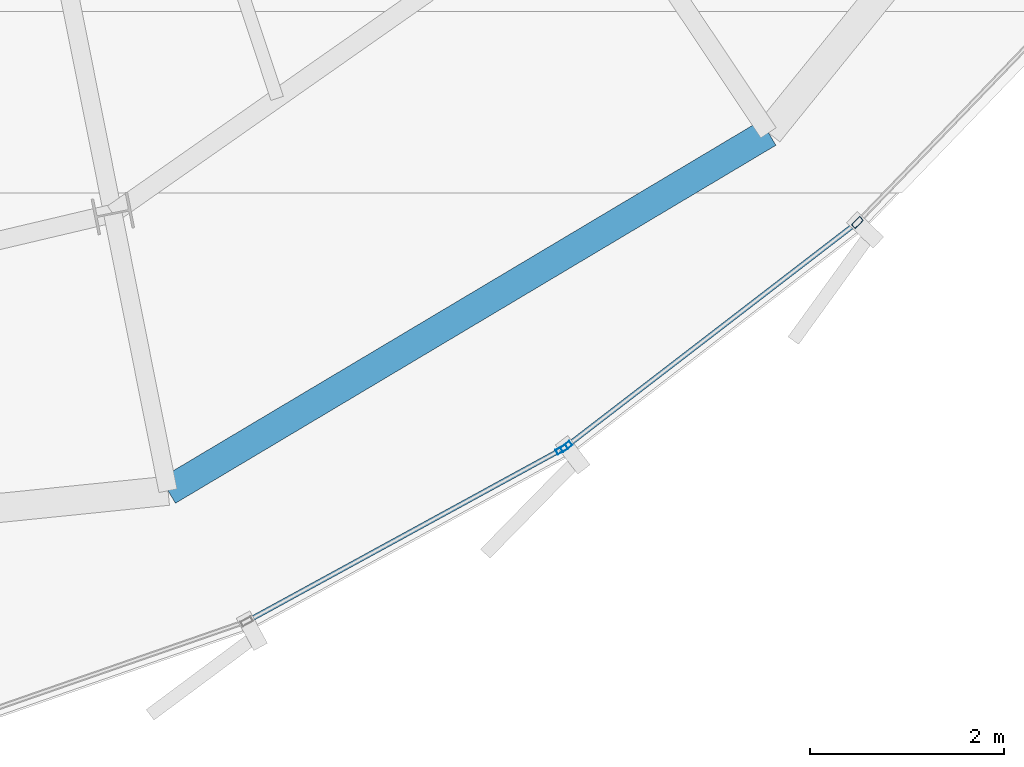
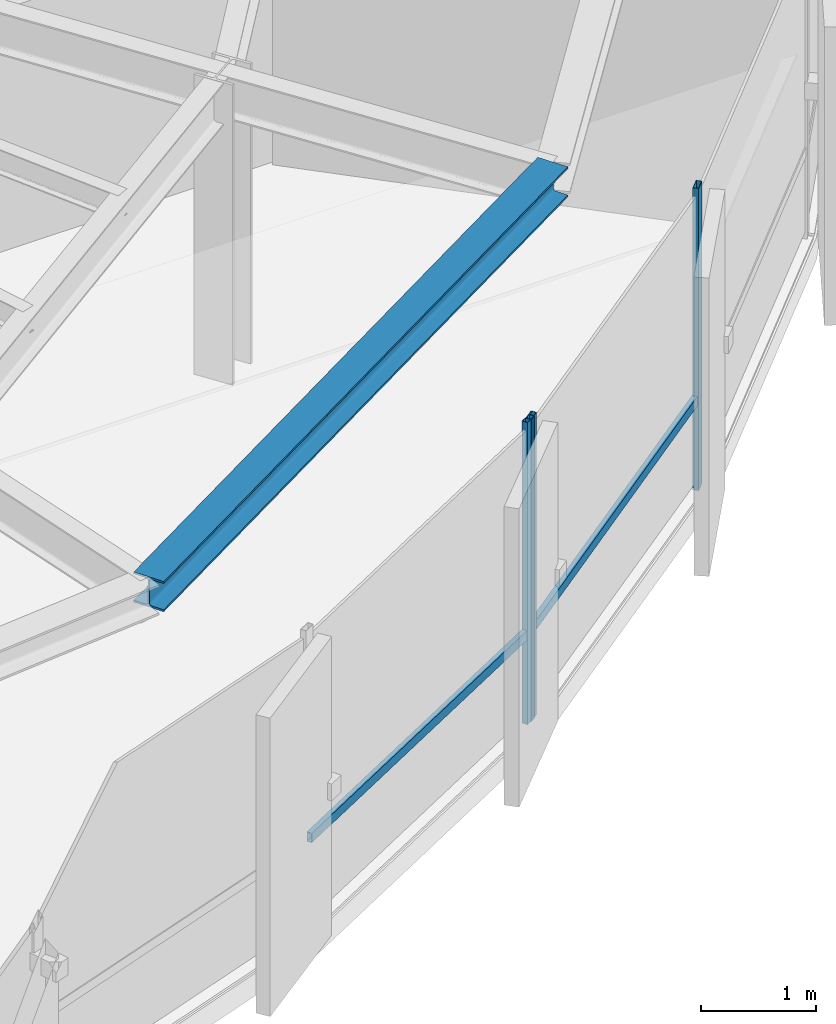
# One storey, part 7 of 31: 5 members, 1 beam, 2 elements without a shape of their own.
"""IFC4 building model written with IfcOpenShell, lengths in metres."""

from ifc_helpers import new_model, si_unit, direction, frame, origin, origin_2d, place, context, subcontext, project, spatial, hollow_rectangle, i_section, extrude, source, transform, mapped, material, layer, layer_set, material_profile, profile_set, type_object, element, aggregate, save


model = new_model("IFC4")

# Units and contexts
model_context = context("Model", 3, precision=1e-05, world=origin(), true_north=direction((0.0, 1.0)))
body_context = subcontext(model_context, "Body", "Model", "MODEL_VIEW")
ifc_project = project(units=[si_unit("LENGTHUNIT", "METRE"), si_unit("AREAUNIT", "SQUARE_METRE"), si_unit("VOLUMEUNIT", "CUBIC_METRE"), si_unit("PLANEANGLEUNIT", "RADIAN"), si_unit("MASSUNIT", "GRAM", prefix="KILO"), si_unit("THERMODYNAMICTEMPERATUREUNIT", "KELVIN")], contexts=[model_context])

# Site, building, storey
site_placement = place(None, origin())
site = spatial("IfcSite", under=ifc_project, at=site_placement, CompositionType="ELEMENT")
building_placement = place(site_placement, origin())
building = spatial("IfcBuilding", under=site, at=building_placement, Name="Kethvar Cultural Tower", CompositionType="ELEMENT")
storey_placement = place(building_placement, frame((0.0, 0.0, 269.800048828125)))
storey = spatial("IfcBuildingStorey", under=building, at=storey_placement, Name="L71", CompositionType="ELEMENT", Elevation=269.800048828125)

# Beam
ifc_material_1 = material(Name="Steel S355J2", Category="steel")
ifc_material_profile_1 = material_profile(ifc_material_1, i_section(OverallWidth=0.300048828125, OverallDepth=0.320068359375, WebThickness=0.011474609375, FlangeThickness=0.0205078125, FilletRadius=0.027099609375, at=origin_2d()), Name="Steel S355J2 — HEB320")
ifc_profile_set_1 = profile_set([ifc_material_profile_1], Name="Steel S355J2 — HEB320")
beam_type = type_object("IfcBeamType", Name="BM-SP320", PredefinedType="SPANDREL", material=ifc_profile_set_1)
shared_shape_1 = source(origin(), body_context, "Body", "SweptSolid", [
    extrude(i_section(OverallWidth=0.300048828125, OverallDepth=0.320068359375, WebThickness=0.011474609375, FlangeThickness=0.0205078125, FilletRadius=0.027099609375, at=origin_2d()), origin(), (0.0, 0.0, 1.0), 7.208984375),
])
beam_placement = place(storey_placement, frame((50.470458984375, 9.34765625, 3.0478515625), z_axis=(0.858935802481, 0.512083281525, 0.0), x_axis=(-0.512083281525, 0.858935802481, 0.0)))
element("IfcBeam", 1, at=beam_placement, inside=storey, type_object=beam_type, Name="L71 Perimeter Spandrel Beam SP-13", PredefinedType="SPANDREL", context=body_context, shape_type="MappedRepresentation", body=[
    mapped(shared_shape_1, transform((0.0, 0.0, 0.0), scale=1.0)),
])

# Curtain wall, member
ifc_material_2 = material(Name="Aluminium 6063-T6", Category="aluminium")
ifc_layer = layer(ifc_material_2, 0.179931640625, Name="Aluminium 6063-T6", Category="aluminium")
ifc_layer_set = layer_set([ifc_layer], Name="Aluminium 6063-T6 (180 mm)")
curtain_wall_type = type_object("IfcCurtainWallType", Name="CW-SYS-05-Z56", PredefinedType="NOTDEFINED", material=ifc_layer_set)
curtain_wall_1_placement = place(storey_placement, origin())
curtain_wall_1 = element("IfcCurtainWall", 2, at=curtain_wall_1_placement, inside=storey, type_object=curtain_wall_type, Name="L71 Curtain Wall Run 04", PredefinedType="NOTDEFINED")
ifc_material_profile_2 = material_profile(ifc_material_2, hollow_rectangle(XDim=0.054931640625, YDim=0.1201171875, WallThickness=0.00390625, at=origin_2d()), Name="Aluminium 6063-T6 — RHS120x55x4")
ifc_profile_set_2 = profile_set([ifc_material_profile_2], Name="Aluminium 6063-T6 — RHS120x55x4")
member_type_1 = type_object("IfcMemberType", Name="CW-SYS-05-Z56-MUL", PredefinedType="MULLION", material=ifc_profile_set_2)
shared_shape_2 = source(origin(), body_context, "Body", "SweptSolid", [
    extrude(hollow_rectangle(XDim=0.054931640625, YDim=0.1201171875, WallThickness=0.00390625, at=origin_2d()), origin(), (0.0, 0.0, 1.0), 3.2099609375),
])
member_1_placement = place(storey_placement, frame((54.530517578125, 9.7744140625, 0.0), z_axis=(0.0, 0.0, 1.0), x_axis=(-0.479350641899, 0.877623473997, 0.0)))
member_1 = element("IfcMember", 3, at=member_1_placement, type_object=member_type_1, Name="CW-L71-R04 Mullion 7", PredefinedType="MULLION", context=body_context, shape_type="MappedRepresentation", body=[
    mapped(shared_shape_2, transform((0.0, 0.0, 0.0), scale=1.0)),
])

# Curtain wall, members
curtain_wall_2_placement = place(storey_placement, origin())
curtain_wall_2 = element("IfcCurtainWall", 4, at=curtain_wall_2_placement, inside=storey, type_object=curtain_wall_type, Name="L71 Curtain Wall Run 05", PredefinedType="NOTDEFINED")
member_2_placement = place(storey_placement, frame((54.5771484375, 9.804931640625, 0.0), z_axis=(0.0, 0.0, 1.0), x_axis=(-0.609868565477, 0.792502575922, 0.0)))
member_2 = element("IfcMember", 5, at=member_2_placement, type_object=member_type_1, Name="CW-L71-R05 Mullion 1", PredefinedType="MULLION", context=body_context, shape_type="MappedRepresentation", body=[
    mapped(shared_shape_2, transform((0.0, 0.0, 0.0), scale=1.0)),
])
member_3_placement = place(storey_placement, frame((57.580078125, 12.114501953125, 0.0), z_axis=(0.0, 0.0, 1.0), x_axis=(-0.720696321615, 0.693250901197, 0.0)))
member_3 = element("IfcMember", 6, at=member_3_placement, type_object=member_type_1, Name="CW-L71-R05 Mullion 2", PredefinedType="MULLION", context=body_context, shape_type="MappedRepresentation", body=[
    mapped(shared_shape_2, transform((0.0, 0.0, 0.0), scale=1.0)),
])
ifc_material_profile_3 = material_profile(ifc_material_2, hollow_rectangle(XDim=0.050048828125, YDim=0.10009765625, WallThickness=0.00390625, at=origin_2d()), Name="Aluminium 6063-T6 — RHS100x50x4")
ifc_profile_set_3 = profile_set([ifc_material_profile_3], Name="Aluminium 6063-T6 — RHS100x50x4")
member_type_2 = type_object("IfcMemberType", Name="CW-SYS-05-Z56-TRN", PredefinedType="USERDEFINED", material=ifc_profile_set_3)
shared_shape_3 = source(origin(), body_context, "Body", "SweptSolid", [
    extrude(hollow_rectangle(XDim=0.050048828125, YDim=0.10009765625, WallThickness=0.00390625, at=origin_2d()), origin(), (0.0, 0.0, 1.0), 3.759765625),
])
member_4_placement = place(storey_placement, frame((54.580078125, 9.807373046875, 0.949951171875), z_axis=(0.792544321031, 0.609814315346, 0.0), x_axis=(-0.609814315346, 0.792544321031, 0.0)))
member_4 = element("IfcMember", 7, at=member_4_placement, type_object=member_type_2, Name="CW-L71-R05 Transom 1", ObjectType="TRANSOM", PredefinedType="USERDEFINED", context=body_context, shape_type="MappedRepresentation", body=[
    mapped(shared_shape_3, transform((0.0, 0.0, 0.0), scale=1.0)),
])
aggregate(curtain_wall_2, [member_2, member_3, member_4])

# Member
shared_shape_4 = source(origin(), body_context, "Body", "SweptSolid", [
    extrude(hollow_rectangle(XDim=0.050048828125, YDim=0.10009765625, WallThickness=0.00390625, at=origin_2d()), origin(), (0.0, 0.0, 1.0), 3.657958984375),
])
member_5_placement = place(storey_placement, frame((51.31689453125, 8.019287109375, 0.949951171875), z_axis=(0.877619948249, 0.47935709699, 0.0), x_axis=(-0.47935709699, 0.877619948249, 0.0)))
member_5 = element("IfcMember", 8, at=member_5_placement, type_object=member_type_2, Name="CW-L71-R04 Transom 6", ObjectType="TRANSOM", PredefinedType="USERDEFINED", context=body_context, shape_type="MappedRepresentation", body=[
    mapped(shared_shape_4, transform((0.0, 0.0, 0.0), scale=1.0)),
])

aggregate(curtain_wall_1, [member_1, member_5])

save(model, "model.ifc")
